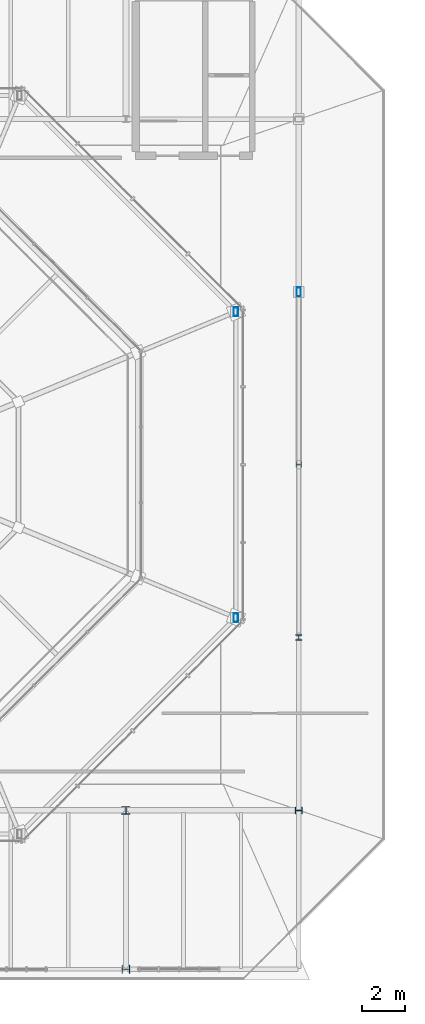
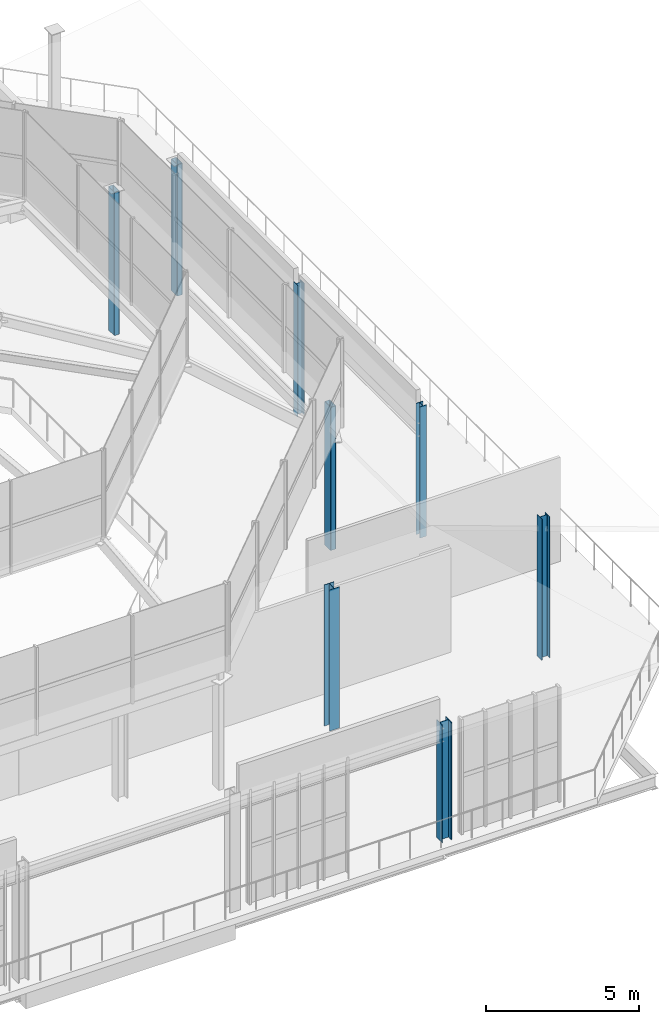
# One storey, part 3 of 30: 8 columns.
"""IFC4 building model written with IfcOpenShell, lengths in metres."""

from ifc_helpers import new_model, si_unit, direction, frame, origin, origin_2d, place, context, subcontext, project, spatial, hollow_rectangle, i_section, extrude, material, material_profile, profile_set, type_object, element, save


model = new_model("IFC4")

# Units and contexts
model_context = context("Model", 3, precision=1e-05, world=origin(), true_north=direction((0.0, 1.0)))
body_context = subcontext(model_context, "Body", "Model", "MODEL_VIEW")
ifc_project = project(units=[si_unit("LENGTHUNIT", "METRE"), si_unit("AREAUNIT", "SQUARE_METRE"), si_unit("VOLUMEUNIT", "CUBIC_METRE"), si_unit("PLANEANGLEUNIT", "RADIAN"), si_unit("MASSUNIT", "GRAM", prefix="KILO")], contexts=[model_context])

# Site, building, storey
site_placement = place(None, origin())
site = spatial("IfcSite", under=ifc_project, at=site_placement, CompositionType="ELEMENT")
building_placement = place(site_placement, origin())
building = spatial("IfcBuilding", under=site, at=building_placement, Name="Brisemont Oceanarium", CompositionType="ELEMENT")
storey_placement = place(building_placement, frame((0.0, 0.0, 19.800048828125)))
storey = spatial("IfcBuildingStorey", under=building, at=storey_placement, Name="L04", CompositionType="ELEMENT", Elevation=19.800048828125)

# Columns
ifc_material_1 = material(Name="Structural Steel ASTM A500 Gr.C", Category="steel")
ifc_material_profile_1 = material_profile(ifc_material_1, hollow_rectangle(XDim=0.202880859375, YDim=0.406005859375, WallThickness=0.01171875, InnerFilletRadius=0.01220703125, OuterFilletRadius=0.02392578125, at=origin_2d()), Name="HSS16X8X1/2")
ifc_profile_set_1 = profile_set([ifc_material_profile_1], Name="Structural Steel ASTM A500 Gr.C")
column_type_1 = type_object("IfcColumnType", Name="COL-HSS16X8", PredefinedType="COLUMN", material=ifc_profile_set_1)
column_1_placement = place(storey_placement, frame((104.0, 64.0, 0.0), z_axis=(0.0, 0.0, 1.0), x_axis=(1.0, 0.0, 0.0)))
element("IfcColumn", 1, at=column_1_placement, inside=storey, type_object=column_type_1, Name="V1 L04 column (6,4)", PredefinedType="COLUMN", context=body_context, shape_type="SweptSolid", body=[
    extrude(hollow_rectangle(XDim=0.202880859375, YDim=0.406005859375, WallThickness=0.01171875, InnerFilletRadius=0.01220703125, OuterFilletRadius=0.02392578125, at=origin_2d()), origin(), (0.0, 0.0, 1.0), 5.245361328125),
])
for number, where, z_axis, x_axis, name in (
    (2, (101.091796875, 63.07958984375, 0.0), (0.0, 0.0, 1.0), (1.0, 0.0, 0.0), "V1 dome drum pier L04.1"),
    (3, (101.091796875, 48.92041015625, 0.0), (0.0, 0.0, 1.0), (1.0, 0.0, 0.0), "V1 dome drum pier L04.8"),
):
    element("IfcColumn", number, at=place(storey_placement, frame(where, z_axis=z_axis, x_axis=x_axis)), inside=storey, type_object=column_type_1, Name=name, PredefinedType="COLUMN", context=body_context, shape_type="SweptSolid", body=[
        extrude(hollow_rectangle(XDim=0.202880859375, YDim=0.406005859375, WallThickness=0.01171875, InnerFilletRadius=0.01220703125, OuterFilletRadius=0.02392578125, at=origin_2d()), origin(), (0.0, 0.0, 1.0), 5.719970703125),
    ])
ifc_material_2 = material(Name="Structural Steel ASTM A992 Gr.50", Category="steel")
ifc_material_profile_2 = material_profile(ifc_material_2, i_section(OverallWidth=0.25390625, OverallDepth=0.25390625, WebThickness=0.008544921875, FlangeThickness=0.01416015625, FilletRadius=0.010986328125, at=origin_2d()), Name="W10X49")
ifc_profile_set_2 = profile_set([ifc_material_profile_2], Name="Structural Steel ASTM A992 Gr.50")
column_type_2 = type_object("IfcColumnType", Name="COL-W10X49", PredefinedType="COLUMN", material=ifc_profile_set_2)
column_2_placement = place(storey_placement, frame((104.0, 56.0, 0.0), z_axis=(0.0, 0.0, 1.0), x_axis=(0.0, 1.0, 0.0)))
element("IfcColumn", 4, at=column_2_placement, inside=storey, type_object=column_type_2, Name="V1 L04 column (6,3)", PredefinedType="COLUMN", context=body_context, shape_type="SweptSolid", body=[
    extrude(i_section(OverallWidth=0.25390625, OverallDepth=0.25390625, WebThickness=0.008544921875, FlangeThickness=0.01416015625, FilletRadius=0.010986328125, at=origin_2d()), origin(), (0.0, 0.0, 1.0), 5.245361328125),
])
ifc_material_3 = material(Name="Structural Steel ASTM A992 Gr.50", Category="steel")
ifc_material_profile_3 = material_profile(ifc_material_3, i_section(OverallWidth=0.256103515625, OverallDepth=0.260009765625, WebThickness=0.0107421875, FlangeThickness=0.017333984375, FilletRadius=0.010986328125, at=origin_2d()), Name="W10X60")
ifc_profile_set_3 = profile_set([ifc_material_profile_3], Name="Structural Steel ASTM A992 Gr.50")
column_type_3 = type_object("IfcColumnType", Name="COL-W10X60", PredefinedType="COLUMN", material=ifc_profile_set_3)
column_3_placement = place(storey_placement, frame((104.0, 48.0, 0.0), z_axis=(0.0, 0.0, 1.0), x_axis=(1.0, 0.0, 0.0)))
element("IfcColumn", 5, at=column_3_placement, inside=storey, type_object=column_type_3, Name="V1 L04 column (6,2)", PredefinedType="COLUMN", context=body_context, shape_type="SweptSolid", body=[
    extrude(i_section(OverallWidth=0.256103515625, OverallDepth=0.260009765625, WebThickness=0.0107421875, FlangeThickness=0.017333984375, FilletRadius=0.010986328125, at=origin_2d()), origin(), (0.0, 0.0, 1.0), 5.245361328125),
])
ifc_material_4 = material(Name="Structural Steel ASTM A992 Gr.50", Category="steel")
ifc_material_profile_4 = material_profile(ifc_material_4, i_section(OverallWidth=0.304931640625, OverallDepth=0.306884765625, WebThickness=0.010009765625, FlangeThickness=0.015380859375, FilletRadius=0.012939453125, at=origin_2d()), Name="W12X65")
ifc_profile_set_4 = profile_set([ifc_material_profile_4], Name="Structural Steel ASTM A992 Gr.50")
column_type_4 = type_object("IfcColumnType", Name="COL-W12X65", PredefinedType="COLUMN", material=ifc_profile_set_4)
column_4_placement = place(storey_placement, frame((104.0, 40.0, 0.0), z_axis=(0.0, 0.0, 1.0), x_axis=(0.0, 1.0, 0.0)))
element("IfcColumn", 6, at=column_4_placement, inside=storey, type_object=column_type_4, Name="V1 L04 column (6,1)", PredefinedType="COLUMN", context=body_context, shape_type="SweptSolid", body=[
    extrude(i_section(OverallWidth=0.304931640625, OverallDepth=0.306884765625, WebThickness=0.010009765625, FlangeThickness=0.015380859375, FilletRadius=0.012939453125, at=origin_2d()), origin(), (0.0, 0.0, 1.0), 5.637451171875),
])
ifc_material_5 = material(Name="Structural Steel ASTM A992 Gr.50", Category="steel")
ifc_material_profile_5 = material_profile(ifc_material_5, i_section(OverallWidth=0.367919921875, OverallDepth=0.35595703125, WebThickness=0.01123046875, FlangeThickness=0.01806640625, FilletRadius=0.014892578125, at=origin_2d()), Name="W14X90")
ifc_profile_set_5 = profile_set([ifc_material_profile_5], Name="Structural Steel ASTM A992 Gr.50")
column_type_5 = type_object("IfcColumnType", Name="COL-W14X90", PredefinedType="COLUMN", material=ifc_profile_set_5)
column_5_placement = place(storey_placement, frame((96.0, 40.0, 0.0), z_axis=(0.0, 0.0, 1.0), x_axis=(1.0, 0.0, 0.0)))
element("IfcColumn", 7, at=column_5_placement, inside=storey, type_object=column_type_5, Name="V1 L04 column (5,1)", PredefinedType="COLUMN", context=body_context, shape_type="SweptSolid", body=[
    extrude(i_section(OverallWidth=0.367919921875, OverallDepth=0.35595703125, WebThickness=0.01123046875, FlangeThickness=0.01806640625, FilletRadius=0.014892578125, at=origin_2d()), origin(), (0.0, 0.0, 1.0), 5.637451171875),
])
ifc_material_6 = material(Name="Structural Steel ASTM A992 Gr.50", Category="steel")
ifc_material_profile_6 = material_profile(ifc_material_6, i_section(OverallWidth=0.37109375, OverallDepth=0.361083984375, WebThickness=0.01220703125, FlangeThickness=0.019775390625, FilletRadius=0.014892578125, at=origin_2d()), Name="W14X99")
ifc_profile_set_6 = profile_set([ifc_material_profile_6], Name="Structural Steel ASTM A992 Gr.50")
column_type_6 = type_object("IfcColumnType", Name="COL-W14X99", PredefinedType="COLUMN", material=ifc_profile_set_6)
column_6_placement = place(storey_placement, frame((96.0, 32.64990234375, 0.0), z_axis=(0.0, 0.0, 1.0), x_axis=(0.0, 1.0, 0.0)))
element("IfcColumn", 8, at=column_6_placement, inside=storey, type_object=column_type_6, Name="V1 L04 column (5,0)", PredefinedType="COLUMN", context=body_context, shape_type="SweptSolid", body=[
    extrude(i_section(OverallWidth=0.37109375, OverallDepth=0.361083984375, WebThickness=0.01220703125, FlangeThickness=0.019775390625, FilletRadius=0.014892578125, at=origin_2d()), origin(), (0.0, 0.0, 1.0), 4.703369140625),
])

save(model, "model.ifc")
